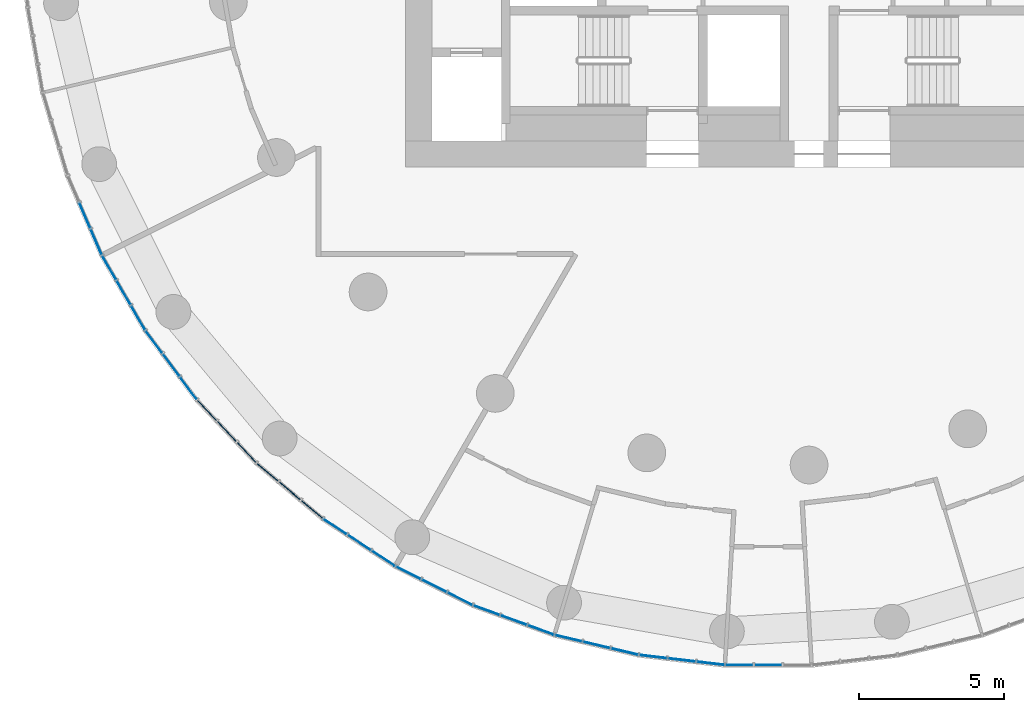
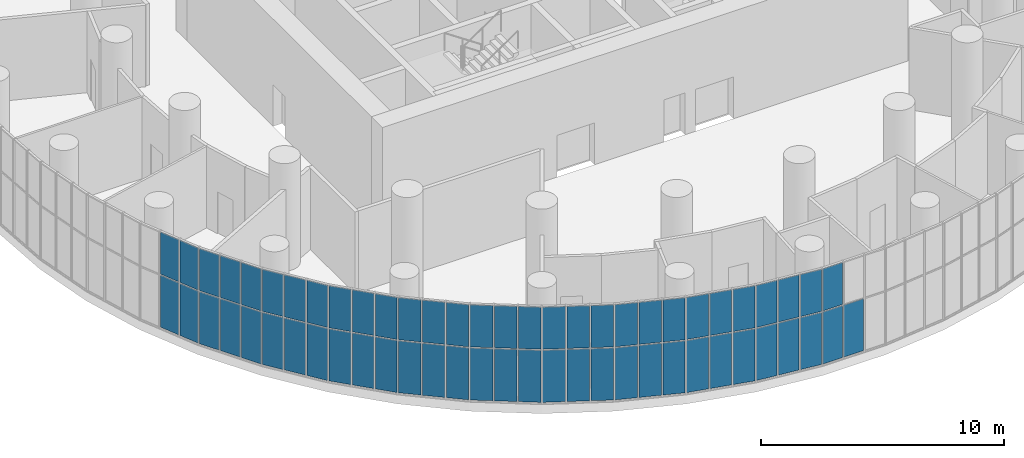
# One storey, part 10 of 21: 61 plates, 11 elements without a shape of their own.
"""IFC4 building model written with IfcOpenShell, lengths in metres."""

from ifc_helpers import new_model, si_unit, direction, frame, origin, origin_2d, place, context, subcontext, project, spatial, rectangle, extrude, material, layer, layer_set, type_object, element, aggregate, save


model = new_model("IFC4")

# Units and contexts
model_context = context("Model", 3, precision=1e-05, world=origin(), true_north=direction((0.0, 1.0)))
body_context = subcontext(model_context, "Body", "Model", "MODEL_VIEW")
ifc_project = project(units=[si_unit("LENGTHUNIT", "METRE"), si_unit("AREAUNIT", "SQUARE_METRE"), si_unit("VOLUMEUNIT", "CUBIC_METRE"), si_unit("PLANEANGLEUNIT", "RADIAN"), si_unit("MASSUNIT", "GRAM", prefix="KILO")], contexts=[model_context])

# Site, building, storey
site_placement = place(None, origin())
site = spatial("IfcSite", under=ifc_project, at=site_placement, CompositionType="ELEMENT")
building_placement = place(site_placement, origin())
building = spatial("IfcBuilding", under=site, at=building_placement, Name="Tracery Tower", CompositionType="ELEMENT")
storey_placement = place(building_placement, frame((0.0, 0.0, 219.60009765625)))
storey = spatial("IfcBuildingStorey", under=building, at=storey_placement, Name="L57", CompositionType="ELEMENT", Elevation=219.60009765625)

# Curtain wall, plates
ifc_material_1 = material(Name="Aluminium curtain wall with tinted glass", Category="aluminium")
ifc_layer_1 = layer(ifc_material_1, 0.159912109375)
ifc_layer_set_1 = layer_set([ifc_layer_1], Name="Sky lounge 2 tracery curtain wall")
curtain_wall_type = type_object("IfcCurtainWallType", Name="Sky lounge 2 tracery curtain wall", PredefinedType="NOTDEFINED", material=ifc_layer_set_1)
curtain_wall_1_placement = place(storey_placement, origin())
curtain_wall_1 = element("IfcCurtainWall", 1, at=curtain_wall_1_placement, inside=storey, type_object=curtain_wall_type, Name="Sky lounge 2 curtain wall run 31", PredefinedType="NOTDEFINED")
ifc_material_2 = material(Name="Tinted laminated glass", Category="glass")
ifc_layer_2 = layer(ifc_material_2, 0.028076171875)
ifc_layer_set_2 = layer_set([ifc_layer_2], Name="Sky lounge 2 glass panel 28")
plate_type = type_object("IfcPlateType", Name="Sky lounge 2 glass panel 28", PredefinedType="CURTAIN_PANEL", material=ifc_layer_set_2)
plate_1_placement = place(storey_placement, frame((-23.565185546875, -10.1650390625, 0.06005859375), z_axis=(0.0, 0.0, 1.0), x_axis=(0.396079766034, -0.918216106883, 0.0)))
plate_1 = element("IfcPlate", 2, at=plate_1_placement, type_object=plate_type, Name="Sky lounge 2 curtain wall run 31 glass panel 3", PredefinedType="CURTAIN_PANEL", context=body_context, shape_type="SweptSolid", body=[
    extrude(rectangle(XDim=0.9365234375, YDim=0.028076171875, at=origin_2d()), origin(), (0.0, 0.0, 1.0), 2.610107421875),
])
plate_2_placement = place(storey_placement, frame((-23.565185546875, -10.1650390625, 2.72998046875), z_axis=(0.0, 0.0, 1.0), x_axis=(0.396079766034, -0.918216106883, 0.0)))
plate_2 = element("IfcPlate", 3, at=plate_2_placement, type_object=plate_type, Name="Sky lounge 2 curtain wall run 31 glass panel 4", PredefinedType="CURTAIN_PANEL", context=body_context, shape_type="SweptSolid", body=[
    extrude(rectangle(XDim=0.9365234375, YDim=0.028076171875, at=origin_2d()), origin(), (0.0, 0.0, 1.0), 2.110107421875),
])
plate_3_placement = place(storey_placement, frame((-23.17041015625, -11.080078125, 0.06005859375), z_axis=(0.0, 0.0, 1.0), x_axis=(0.396079766034, -0.918216106883, 0.0)))
plate_3 = element("IfcPlate", 4, at=plate_3_placement, type_object=plate_type, Name="Sky lounge 2 curtain wall run 31 glass panel 5", PredefinedType="CURTAIN_PANEL", context=body_context, shape_type="SweptSolid", body=[
    extrude(rectangle(XDim=0.9365234375, YDim=0.028076171875, at=origin_2d()), origin(), (0.0, 0.0, 1.0), 2.610107421875),
])
plate_4_placement = place(storey_placement, frame((-23.17041015625, -11.080078125, 2.72998046875), z_axis=(0.0, 0.0, 1.0), x_axis=(0.396079766034, -0.918216106883, 0.0)))
plate_4 = element("IfcPlate", 5, at=plate_4_placement, type_object=plate_type, Name="Sky lounge 2 curtain wall run 31 glass panel 6", PredefinedType="CURTAIN_PANEL", context=body_context, shape_type="SweptSolid", body=[
    extrude(rectangle(XDim=0.9365234375, YDim=0.028076171875, at=origin_2d()), origin(), (0.0, 0.0, 1.0), 2.110107421875),
])
aggregate(curtain_wall_1, [plate_1, plate_2, plate_3, plate_4])

curtain_wall_2_placement = place(storey_placement, origin())
curtain_wall_2 = element("IfcCurtainWall", 6, at=curtain_wall_2_placement, inside=storey, type_object=curtain_wall_type, Name="Sky lounge 2 curtain wall run 32", PredefinedType="NOTDEFINED")
plate_5_placement = place(storey_placement, frame((-22.723876953125, -11.968994140625, 0.06005859375), z_axis=(0.0, 0.0, 1.0), x_axis=(0.5, -0.866025403784, 0.0)))
plate_5 = element("IfcPlate", 7, at=plate_5_placement, type_object=plate_type, Name="Sky lounge 2 curtain wall run 32 glass panel 1", PredefinedType="CURTAIN_PANEL", context=body_context, shape_type="SweptSolid", body=[
    extrude(rectangle(XDim=0.9365234375, YDim=0.028076171875, at=origin_2d()), origin(), (0.0, 0.0, 1.0), 2.610107421875),
])
plate_6_placement = place(storey_placement, frame((-22.723876953125, -11.968994140625, 2.72998046875), z_axis=(0.0, 0.0, 1.0), x_axis=(0.5, -0.866025403784, 0.0)))
plate_6 = element("IfcPlate", 8, at=plate_6_placement, type_object=plate_type, Name="Sky lounge 2 curtain wall run 32 glass panel 2", PredefinedType="CURTAIN_PANEL", context=body_context, shape_type="SweptSolid", body=[
    extrude(rectangle(XDim=0.9365234375, YDim=0.028076171875, at=origin_2d()), origin(), (0.0, 0.0, 1.0), 2.110107421875),
])
plate_7_placement = place(storey_placement, frame((-22.225830078125, -12.83203125, 0.06005859375), z_axis=(0.0, 0.0, 1.0), x_axis=(0.5, -0.866025403784, 0.0)))
plate_7 = element("IfcPlate", 9, at=plate_7_placement, type_object=plate_type, Name="Sky lounge 2 curtain wall run 32 glass panel 3", PredefinedType="CURTAIN_PANEL", context=body_context, shape_type="SweptSolid", body=[
    extrude(rectangle(XDim=0.9365234375, YDim=0.028076171875, at=origin_2d()), origin(), (0.0, 0.0, 1.0), 2.610107421875),
])
plate_8_placement = place(storey_placement, frame((-22.225830078125, -12.83203125, 2.72998046875), z_axis=(0.0, 0.0, 1.0), x_axis=(0.5, -0.866025403784, 0.0)))
plate_8 = element("IfcPlate", 10, at=plate_8_placement, type_object=plate_type, Name="Sky lounge 2 curtain wall run 32 glass panel 4", PredefinedType="CURTAIN_PANEL", context=body_context, shape_type="SweptSolid", body=[
    extrude(rectangle(XDim=0.9365234375, YDim=0.028076171875, at=origin_2d()), origin(), (0.0, 0.0, 1.0), 2.110107421875),
])
plate_9_placement = place(storey_placement, frame((-21.7275390625, -13.695068359375, 0.06005859375), z_axis=(0.0, 0.0, 1.0), x_axis=(0.5, -0.866025403784, 0.0)))
plate_9 = element("IfcPlate", 11, at=plate_9_placement, type_object=plate_type, Name="Sky lounge 2 curtain wall run 32 glass panel 5", PredefinedType="CURTAIN_PANEL", context=body_context, shape_type="SweptSolid", body=[
    extrude(rectangle(XDim=0.9365234375, YDim=0.028076171875, at=origin_2d()), origin(), (0.0, 0.0, 1.0), 2.610107421875),
])
plate_10_placement = place(storey_placement, frame((-21.7275390625, -13.695068359375, 2.72998046875), z_axis=(0.0, 0.0, 1.0), x_axis=(0.5, -0.866025403784, 0.0)))
plate_10 = element("IfcPlate", 12, at=plate_10_placement, type_object=plate_type, Name="Sky lounge 2 curtain wall run 32 glass panel 6", PredefinedType="CURTAIN_PANEL", context=body_context, shape_type="SweptSolid", body=[
    extrude(rectangle(XDim=0.9365234375, YDim=0.028076171875, at=origin_2d()), origin(), (0.0, 0.0, 1.0), 2.110107421875),
])
aggregate(curtain_wall_2, [plate_5, plate_6, plate_7, plate_8, plate_9, plate_10])

curtain_wall_3_placement = place(storey_placement, origin())
curtain_wall_3 = element("IfcCurtainWall", 13, at=curtain_wall_3_placement, inside=storey, type_object=curtain_wall_type, Name="Sky lounge 2 curtain wall run 33", PredefinedType="NOTDEFINED")
plate_11_placement = place(storey_placement, frame((-21.180908203125, -14.526123046875, 0.06005859375), z_axis=(0.0, 0.0, 1.0), x_axis=(0.597158591707, -0.802123192752, 0.0)))
plate_11 = element("IfcPlate", 14, at=plate_11_placement, type_object=plate_type, Name="Sky lounge 2 curtain wall run 33 glass panel 1", PredefinedType="CURTAIN_PANEL", context=body_context, shape_type="SweptSolid", body=[
    extrude(rectangle(XDim=0.9365234375, YDim=0.028076171875, at=origin_2d()), origin(), (0.0, 0.0, 1.0), 2.610107421875),
])
plate_12_placement = place(storey_placement, frame((-21.180908203125, -14.526123046875, 2.72998046875), z_axis=(0.0, 0.0, 1.0), x_axis=(0.597158591707, -0.802123192752, 0.0)))
plate_12 = element("IfcPlate", 15, at=plate_12_placement, type_object=plate_type, Name="Sky lounge 2 curtain wall run 33 glass panel 2", PredefinedType="CURTAIN_PANEL", context=body_context, shape_type="SweptSolid", body=[
    extrude(rectangle(XDim=0.9365234375, YDim=0.028076171875, at=origin_2d()), origin(), (0.0, 0.0, 1.0), 2.110107421875),
])
plate_13_placement = place(storey_placement, frame((-20.585693359375, -15.325439453125, 0.06005859375), z_axis=(0.0, 0.0, 1.0), x_axis=(0.597158591707, -0.802123192752, 0.0)))
plate_13 = element("IfcPlate", 16, at=plate_13_placement, type_object=plate_type, Name="Sky lounge 2 curtain wall run 33 glass panel 3", PredefinedType="CURTAIN_PANEL", context=body_context, shape_type="SweptSolid", body=[
    extrude(rectangle(XDim=0.9365234375, YDim=0.028076171875, at=origin_2d()), origin(), (0.0, 0.0, 1.0), 2.610107421875),
])
plate_14_placement = place(storey_placement, frame((-20.585693359375, -15.325439453125, 2.72998046875), z_axis=(0.0, 0.0, 1.0), x_axis=(0.597158591707, -0.802123192752, 0.0)))
plate_14 = element("IfcPlate", 17, at=plate_14_placement, type_object=plate_type, Name="Sky lounge 2 curtain wall run 33 glass panel 4", PredefinedType="CURTAIN_PANEL", context=body_context, shape_type="SweptSolid", body=[
    extrude(rectangle(XDim=0.9365234375, YDim=0.028076171875, at=origin_2d()), origin(), (0.0, 0.0, 1.0), 2.110107421875),
])
plate_15_placement = place(storey_placement, frame((-19.99072265625, -16.124755859375, 0.06005859375), z_axis=(0.0, 0.0, 1.0), x_axis=(0.597158591707, -0.802123192752, 0.0)))
plate_15 = element("IfcPlate", 18, at=plate_15_placement, type_object=plate_type, Name="Sky lounge 2 curtain wall run 33 glass panel 5", PredefinedType="CURTAIN_PANEL", context=body_context, shape_type="SweptSolid", body=[
    extrude(rectangle(XDim=0.9365234375, YDim=0.028076171875, at=origin_2d()), origin(), (0.0, 0.0, 1.0), 2.610107421875),
])
plate_16_placement = place(storey_placement, frame((-19.99072265625, -16.124755859375, 2.72998046875), z_axis=(0.0, 0.0, 1.0), x_axis=(0.597158591707, -0.802123192752, 0.0)))
plate_16 = element("IfcPlate", 19, at=plate_16_placement, type_object=plate_type, Name="Sky lounge 2 curtain wall run 33 glass panel 6", PredefinedType="CURTAIN_PANEL", context=body_context, shape_type="SweptSolid", body=[
    extrude(rectangle(XDim=0.9365234375, YDim=0.028076171875, at=origin_2d()), origin(), (0.0, 0.0, 1.0), 2.110107421875),
])
aggregate(curtain_wall_3, [plate_11, plate_12, plate_13, plate_14, plate_15, plate_16])

curtain_wall_4_placement = place(storey_placement, origin())
curtain_wall_4 = element("IfcCurtainWall", 20, at=curtain_wall_4_placement, inside=storey, type_object=curtain_wall_type, Name="Sky lounge 2 curtain wall run 34", PredefinedType="NOTDEFINED")
plate_17_placement = place(storey_placement, frame((-19.351318359375, -16.886962890625, 0.06005859375), z_axis=(0.0, 0.0, 1.0), x_axis=(0.686241637865, -0.727373641577, 0.0)))
plate_17 = element("IfcPlate", 21, at=plate_17_placement, type_object=plate_type, Name="Sky lounge 2 curtain wall run 34 glass panel 1", PredefinedType="CURTAIN_PANEL", context=body_context, shape_type="SweptSolid", body=[
    extrude(rectangle(XDim=0.9365234375, YDim=0.028076171875, at=origin_2d()), origin(), (0.0, 0.0, 1.0), 2.610107421875),
])
plate_18_placement = place(storey_placement, frame((-19.351318359375, -16.886962890625, 2.72998046875), z_axis=(0.0, 0.0, 1.0), x_axis=(0.686241637865, -0.727373641577, 0.0)))
plate_18 = element("IfcPlate", 22, at=plate_18_placement, type_object=plate_type, Name="Sky lounge 2 curtain wall run 34 glass panel 2", PredefinedType="CURTAIN_PANEL", context=body_context, shape_type="SweptSolid", body=[
    extrude(rectangle(XDim=0.9365234375, YDim=0.028076171875, at=origin_2d()), origin(), (0.0, 0.0, 1.0), 2.110107421875),
])
plate_19_placement = place(storey_placement, frame((-18.667236328125, -17.61181640625, 0.06005859375), z_axis=(0.0, 0.0, 1.0), x_axis=(0.686241637865, -0.727373641577, 0.0)))
plate_19 = element("IfcPlate", 23, at=plate_19_placement, type_object=plate_type, Name="Sky lounge 2 curtain wall run 34 glass panel 3", PredefinedType="CURTAIN_PANEL", context=body_context, shape_type="SweptSolid", body=[
    extrude(rectangle(XDim=0.9365234375, YDim=0.028076171875, at=origin_2d()), origin(), (0.0, 0.0, 1.0), 2.610107421875),
])
plate_20_placement = place(storey_placement, frame((-18.667236328125, -17.61181640625, 2.72998046875), z_axis=(0.0, 0.0, 1.0), x_axis=(0.686241637865, -0.727373641577, 0.0)))
plate_20 = element("IfcPlate", 24, at=plate_20_placement, type_object=plate_type, Name="Sky lounge 2 curtain wall run 34 glass panel 4", PredefinedType="CURTAIN_PANEL", context=body_context, shape_type="SweptSolid", body=[
    extrude(rectangle(XDim=0.9365234375, YDim=0.028076171875, at=origin_2d()), origin(), (0.0, 0.0, 1.0), 2.110107421875),
])
plate_21_placement = place(storey_placement, frame((-17.9833984375, -18.336669921875, 0.06005859375), z_axis=(0.0, 0.0, 1.0), x_axis=(0.686241637865, -0.727373641577, 0.0)))
plate_21 = element("IfcPlate", 25, at=plate_21_placement, type_object=plate_type, Name="Sky lounge 2 curtain wall run 34 glass panel 5", PredefinedType="CURTAIN_PANEL", context=body_context, shape_type="SweptSolid", body=[
    extrude(rectangle(XDim=0.9365234375, YDim=0.028076171875, at=origin_2d()), origin(), (0.0, 0.0, 1.0), 2.610107421875),
])
plate_22_placement = place(storey_placement, frame((-17.9833984375, -18.336669921875, 2.72998046875), z_axis=(0.0, 0.0, 1.0), x_axis=(0.686241637865, -0.727373641577, 0.0)))
plate_22 = element("IfcPlate", 26, at=plate_22_placement, type_object=plate_type, Name="Sky lounge 2 curtain wall run 34 glass panel 6", PredefinedType="CURTAIN_PANEL", context=body_context, shape_type="SweptSolid", body=[
    extrude(rectangle(XDim=0.9365234375, YDim=0.028076171875, at=origin_2d()), origin(), (0.0, 0.0, 1.0), 2.110107421875),
])
aggregate(curtain_wall_4, [plate_17, plate_18, plate_19, plate_20, plate_21, plate_22])

curtain_wall_5_placement = place(storey_placement, origin())
curtain_wall_5 = element("IfcCurtainWall", 27, at=curtain_wall_5_placement, inside=storey, type_object=curtain_wall_type, Name="Sky lounge 2 curtain wall run 35", PredefinedType="NOTDEFINED")
plate_23_placement = place(storey_placement, frame((-17.260009765625, -19.019287109375, 0.06005859375), z_axis=(0.0, 0.0, 1.0), x_axis=(0.766044443119, -0.642787609687, 0.0)))
plate_23 = element("IfcPlate", 28, at=plate_23_placement, type_object=plate_type, Name="Sky lounge 2 curtain wall run 35 glass panel 1", PredefinedType="CURTAIN_PANEL", context=body_context, shape_type="SweptSolid", body=[
    extrude(rectangle(XDim=0.9365234375, YDim=0.028076171875, at=origin_2d()), origin(), (0.0, 0.0, 1.0), 2.610107421875),
])
plate_24_placement = place(storey_placement, frame((-17.260009765625, -19.019287109375, 2.72998046875), z_axis=(0.0, 0.0, 1.0), x_axis=(0.766044443119, -0.642787609687, 0.0)))
plate_24 = element("IfcPlate", 29, at=plate_24_placement, type_object=plate_type, Name="Sky lounge 2 curtain wall run 35 glass panel 2", PredefinedType="CURTAIN_PANEL", context=body_context, shape_type="SweptSolid", body=[
    extrude(rectangle(XDim=0.9365234375, YDim=0.028076171875, at=origin_2d()), origin(), (0.0, 0.0, 1.0), 2.110107421875),
])
plate_25_placement = place(storey_placement, frame((-16.49658203125, -19.659912109375, 0.06005859375), z_axis=(0.0, 0.0, 1.0), x_axis=(0.766044443119, -0.642787609687, 0.0)))
plate_25 = element("IfcPlate", 30, at=plate_25_placement, type_object=plate_type, Name="Sky lounge 2 curtain wall run 35 glass panel 3", PredefinedType="CURTAIN_PANEL", context=body_context, shape_type="SweptSolid", body=[
    extrude(rectangle(XDim=0.9365234375, YDim=0.028076171875, at=origin_2d()), origin(), (0.0, 0.0, 1.0), 2.610107421875),
])
plate_26_placement = place(storey_placement, frame((-16.49658203125, -19.659912109375, 2.72998046875), z_axis=(0.0, 0.0, 1.0), x_axis=(0.766044443119, -0.642787609687, 0.0)))
plate_26 = element("IfcPlate", 31, at=plate_26_placement, type_object=plate_type, Name="Sky lounge 2 curtain wall run 35 glass panel 4", PredefinedType="CURTAIN_PANEL", context=body_context, shape_type="SweptSolid", body=[
    extrude(rectangle(XDim=0.9365234375, YDim=0.028076171875, at=origin_2d()), origin(), (0.0, 0.0, 1.0), 2.110107421875),
])
plate_27_placement = place(storey_placement, frame((-15.733154296875, -20.30029296875, 0.06005859375), z_axis=(0.0, 0.0, 1.0), x_axis=(0.766044443119, -0.642787609687, 0.0)))
plate_27 = element("IfcPlate", 32, at=plate_27_placement, type_object=plate_type, Name="Sky lounge 2 curtain wall run 35 glass panel 5", PredefinedType="CURTAIN_PANEL", context=body_context, shape_type="SweptSolid", body=[
    extrude(rectangle(XDim=0.9365234375, YDim=0.028076171875, at=origin_2d()), origin(), (0.0, 0.0, 1.0), 2.610107421875),
])
plate_28_placement = place(storey_placement, frame((-15.733154296875, -20.30029296875, 2.72998046875), z_axis=(0.0, 0.0, 1.0), x_axis=(0.766044443119, -0.642787609687, 0.0)))
plate_28 = element("IfcPlate", 33, at=plate_28_placement, type_object=plate_type, Name="Sky lounge 2 curtain wall run 35 glass panel 6", PredefinedType="CURTAIN_PANEL", context=body_context, shape_type="SweptSolid", body=[
    extrude(rectangle(XDim=0.9365234375, YDim=0.028076171875, at=origin_2d()), origin(), (0.0, 0.0, 1.0), 2.110107421875),
])
aggregate(curtain_wall_5, [plate_23, plate_24, plate_25, plate_26, plate_27, plate_28])

curtain_wall_6_placement = place(storey_placement, origin())
curtain_wall_6 = element("IfcCurtainWall", 34, at=curtain_wall_6_placement, inside=storey, type_object=curtain_wall_type, Name="Sky lounge 2 curtain wall run 36", PredefinedType="NOTDEFINED")
plate_29_placement = place(storey_placement, frame((-14.935302734375, -20.89453125, 0.06005859375), z_axis=(0.0, 0.0, 1.0), x_axis=(0.835487811416, -0.549508978066, 0.0)))
plate_29 = element("IfcPlate", 35, at=plate_29_placement, type_object=plate_type, Name="Sky lounge 2 curtain wall run 36 glass panel 1", PredefinedType="CURTAIN_PANEL", context=body_context, shape_type="SweptSolid", body=[
    extrude(rectangle(XDim=0.9365234375, YDim=0.028076171875, at=origin_2d()), origin(), (0.0, 0.0, 1.0), 2.610107421875),
])
plate_30_placement = place(storey_placement, frame((-14.935302734375, -20.89453125, 2.72998046875), z_axis=(0.0, 0.0, 1.0), x_axis=(0.835487811416, -0.549508978066, 0.0)))
plate_30 = element("IfcPlate", 36, at=plate_30_placement, type_object=plate_type, Name="Sky lounge 2 curtain wall run 36 glass panel 2", PredefinedType="CURTAIN_PANEL", context=body_context, shape_type="SweptSolid", body=[
    extrude(rectangle(XDim=0.9365234375, YDim=0.028076171875, at=origin_2d()), origin(), (0.0, 0.0, 1.0), 2.110107421875),
])
plate_31_placement = place(storey_placement, frame((-14.1025390625, -21.44189453125, 0.06005859375), z_axis=(0.0, 0.0, 1.0), x_axis=(0.835487811416, -0.549508978066, 0.0)))
plate_31 = element("IfcPlate", 37, at=plate_31_placement, type_object=plate_type, Name="Sky lounge 2 curtain wall run 36 glass panel 3", PredefinedType="CURTAIN_PANEL", context=body_context, shape_type="SweptSolid", body=[
    extrude(rectangle(XDim=0.9365234375, YDim=0.028076171875, at=origin_2d()), origin(), (0.0, 0.0, 1.0), 2.610107421875),
])
plate_32_placement = place(storey_placement, frame((-14.1025390625, -21.44189453125, 2.72998046875), z_axis=(0.0, 0.0, 1.0), x_axis=(0.835487811416, -0.549508978066, 0.0)))
plate_32 = element("IfcPlate", 38, at=plate_32_placement, type_object=plate_type, Name="Sky lounge 2 curtain wall run 36 glass panel 4", PredefinedType="CURTAIN_PANEL", context=body_context, shape_type="SweptSolid", body=[
    extrude(rectangle(XDim=0.9365234375, YDim=0.028076171875, at=origin_2d()), origin(), (0.0, 0.0, 1.0), 2.110107421875),
])
plate_33_placement = place(storey_placement, frame((-13.27001953125, -21.989501953125, 0.06005859375), z_axis=(0.0, 0.0, 1.0), x_axis=(0.835487811416, -0.549508978066, 0.0)))
plate_33 = element("IfcPlate", 39, at=plate_33_placement, type_object=plate_type, Name="Sky lounge 2 curtain wall run 36 glass panel 5", PredefinedType="CURTAIN_PANEL", context=body_context, shape_type="SweptSolid", body=[
    extrude(rectangle(XDim=0.9365234375, YDim=0.028076171875, at=origin_2d()), origin(), (0.0, 0.0, 1.0), 2.610107421875),
])
plate_34_placement = place(storey_placement, frame((-13.27001953125, -21.989501953125, 2.72998046875), z_axis=(0.0, 0.0, 1.0), x_axis=(0.835487811416, -0.549508978066, 0.0)))
plate_34 = element("IfcPlate", 40, at=plate_34_placement, type_object=plate_type, Name="Sky lounge 2 curtain wall run 36 glass panel 6", PredefinedType="CURTAIN_PANEL", context=body_context, shape_type="SweptSolid", body=[
    extrude(rectangle(XDim=0.9365234375, YDim=0.028076171875, at=origin_2d()), origin(), (0.0, 0.0, 1.0), 2.110107421875),
])
aggregate(curtain_wall_6, [plate_29, plate_30, plate_31, plate_32, plate_33, plate_34])

curtain_wall_7_placement = place(storey_placement, origin())
curtain_wall_7 = element("IfcCurtainWall", 41, at=curtain_wall_7_placement, inside=storey, type_object=curtain_wall_type, Name="Sky lounge 2 curtain wall run 37", PredefinedType="NOTDEFINED")
plate_35_placement = place(storey_placement, frame((-12.408447265625, -22.487060546875, 0.06005859375), z_axis=(0.0, 0.0, 1.0), x_axis=(0.893632640321, -0.448799180206, 0.0)))
plate_35 = element("IfcPlate", 42, at=plate_35_placement, type_object=plate_type, Name="Sky lounge 2 curtain wall run 37 glass panel 1", PredefinedType="CURTAIN_PANEL", context=body_context, shape_type="SweptSolid", body=[
    extrude(rectangle(XDim=0.9365234375, YDim=0.028076171875, at=origin_2d()), origin(), (0.0, 0.0, 1.0), 2.610107421875),
])
plate_36_placement = place(storey_placement, frame((-12.408447265625, -22.487060546875, 2.72998046875), z_axis=(0.0, 0.0, 1.0), x_axis=(0.893632640321, -0.448799180206, 0.0)))
plate_36 = element("IfcPlate", 43, at=plate_36_placement, type_object=plate_type, Name="Sky lounge 2 curtain wall run 37 glass panel 2", PredefinedType="CURTAIN_PANEL", context=body_context, shape_type="SweptSolid", body=[
    extrude(rectangle(XDim=0.9365234375, YDim=0.028076171875, at=origin_2d()), origin(), (0.0, 0.0, 1.0), 2.110107421875),
])
plate_37_placement = place(storey_placement, frame((-11.51806640625, -22.934326171875, 0.06005859375), z_axis=(0.0, 0.0, 1.0), x_axis=(0.893632640321, -0.448799180206, 0.0)))
plate_37 = element("IfcPlate", 44, at=plate_37_placement, type_object=plate_type, Name="Sky lounge 2 curtain wall run 37 glass panel 3", PredefinedType="CURTAIN_PANEL", context=body_context, shape_type="SweptSolid", body=[
    extrude(rectangle(XDim=0.9365234375, YDim=0.028076171875, at=origin_2d()), origin(), (0.0, 0.0, 1.0), 2.610107421875),
])
plate_38_placement = place(storey_placement, frame((-11.51806640625, -22.934326171875, 2.72998046875), z_axis=(0.0, 0.0, 1.0), x_axis=(0.893632640321, -0.448799180206, 0.0)))
plate_38 = element("IfcPlate", 45, at=plate_38_placement, type_object=plate_type, Name="Sky lounge 2 curtain wall run 37 glass panel 4", PredefinedType="CURTAIN_PANEL", context=body_context, shape_type="SweptSolid", body=[
    extrude(rectangle(XDim=0.9365234375, YDim=0.028076171875, at=origin_2d()), origin(), (0.0, 0.0, 1.0), 2.110107421875),
])
plate_39_placement = place(storey_placement, frame((-10.62744140625, -23.38134765625, 0.06005859375), z_axis=(0.0, 0.0, 1.0), x_axis=(0.893632640321, -0.448799180206, 0.0)))
plate_39 = element("IfcPlate", 46, at=plate_39_placement, type_object=plate_type, Name="Sky lounge 2 curtain wall run 37 glass panel 5", PredefinedType="CURTAIN_PANEL", context=body_context, shape_type="SweptSolid", body=[
    extrude(rectangle(XDim=0.9365234375, YDim=0.028076171875, at=origin_2d()), origin(), (0.0, 0.0, 1.0), 2.610107421875),
])
plate_40_placement = place(storey_placement, frame((-10.62744140625, -23.38134765625, 2.72998046875), z_axis=(0.0, 0.0, 1.0), x_axis=(0.893632640321, -0.448799180206, 0.0)))
plate_40 = element("IfcPlate", 47, at=plate_40_placement, type_object=plate_type, Name="Sky lounge 2 curtain wall run 37 glass panel 6", PredefinedType="CURTAIN_PANEL", context=body_context, shape_type="SweptSolid", body=[
    extrude(rectangle(XDim=0.9365234375, YDim=0.028076171875, at=origin_2d()), origin(), (0.0, 0.0, 1.0), 2.110107421875),
])
aggregate(curtain_wall_7, [plate_35, plate_36, plate_37, plate_38, plate_39, plate_40])

curtain_wall_8_placement = place(storey_placement, origin())
curtain_wall_8 = element("IfcCurtainWall", 48, at=curtain_wall_8_placement, inside=storey, type_object=curtain_wall_type, Name="Sky lounge 2 curtain wall run 38", PredefinedType="NOTDEFINED")
plate_41_placement = place(storey_placement, frame((-9.714111328125, -23.775390625, 0.06005859375), z_axis=(0.0, 0.0, 1.0), x_axis=(0.939692620786, -0.342020143326, 0.0)))
plate_41 = element("IfcPlate", 49, at=plate_41_placement, type_object=plate_type, Name="Sky lounge 2 curtain wall run 38 glass panel 1", PredefinedType="CURTAIN_PANEL", context=body_context, shape_type="SweptSolid", body=[
    extrude(rectangle(XDim=0.9365234375, YDim=0.028076171875, at=origin_2d()), origin(), (0.0, 0.0, 1.0), 2.610107421875),
])
plate_42_placement = place(storey_placement, frame((-9.714111328125, -23.775390625, 2.72998046875), z_axis=(0.0, 0.0, 1.0), x_axis=(0.939692620786, -0.342020143326, 0.0)))
plate_42 = element("IfcPlate", 50, at=plate_42_placement, type_object=plate_type, Name="Sky lounge 2 curtain wall run 38 glass panel 2", PredefinedType="CURTAIN_PANEL", context=body_context, shape_type="SweptSolid", body=[
    extrude(rectangle(XDim=0.9365234375, YDim=0.028076171875, at=origin_2d()), origin(), (0.0, 0.0, 1.0), 2.110107421875),
])
plate_43_placement = place(storey_placement, frame((-8.777587890625, -24.1162109375, 0.06005859375), z_axis=(0.0, 0.0, 1.0), x_axis=(0.939692620786, -0.342020143326, 0.0)))
plate_43 = element("IfcPlate", 51, at=plate_43_placement, type_object=plate_type, Name="Sky lounge 2 curtain wall run 38 glass panel 3", PredefinedType="CURTAIN_PANEL", context=body_context, shape_type="SweptSolid", body=[
    extrude(rectangle(XDim=0.9365234375, YDim=0.028076171875, at=origin_2d()), origin(), (0.0, 0.0, 1.0), 2.610107421875),
])
plate_44_placement = place(storey_placement, frame((-8.777587890625, -24.1162109375, 2.72998046875), z_axis=(0.0, 0.0, 1.0), x_axis=(0.939692620786, -0.342020143326, 0.0)))
plate_44 = element("IfcPlate", 52, at=plate_44_placement, type_object=plate_type, Name="Sky lounge 2 curtain wall run 38 glass panel 4", PredefinedType="CURTAIN_PANEL", context=body_context, shape_type="SweptSolid", body=[
    extrude(rectangle(XDim=0.9365234375, YDim=0.028076171875, at=origin_2d()), origin(), (0.0, 0.0, 1.0), 2.110107421875),
])
plate_45_placement = place(storey_placement, frame((-7.84130859375, -24.45703125, 0.06005859375), z_axis=(0.0, 0.0, 1.0), x_axis=(0.939692620786, -0.342020143326, 0.0)))
plate_45 = element("IfcPlate", 53, at=plate_45_placement, type_object=plate_type, Name="Sky lounge 2 curtain wall run 38 glass panel 5", PredefinedType="CURTAIN_PANEL", context=body_context, shape_type="SweptSolid", body=[
    extrude(rectangle(XDim=0.9365234375, YDim=0.028076171875, at=origin_2d()), origin(), (0.0, 0.0, 1.0), 2.610107421875),
])
plate_46_placement = place(storey_placement, frame((-7.84130859375, -24.45703125, 2.72998046875), z_axis=(0.0, 0.0, 1.0), x_axis=(0.939692620786, -0.342020143326, 0.0)))
plate_46 = element("IfcPlate", 54, at=plate_46_placement, type_object=plate_type, Name="Sky lounge 2 curtain wall run 38 glass panel 6", PredefinedType="CURTAIN_PANEL", context=body_context, shape_type="SweptSolid", body=[
    extrude(rectangle(XDim=0.9365234375, YDim=0.028076171875, at=origin_2d()), origin(), (0.0, 0.0, 1.0), 2.110107421875),
])
aggregate(curtain_wall_8, [plate_41, plate_42, plate_43, plate_44, plate_45, plate_46])

curtain_wall_9_placement = place(storey_placement, origin())
curtain_wall_9 = element("IfcCurtainWall", 55, at=curtain_wall_9_placement, inside=storey, type_object=curtain_wall_type, Name="Sky lounge 2 curtain wall run 39", PredefinedType="NOTDEFINED")
plate_47_placement = place(storey_placement, frame((-6.88818359375, -24.742431640625, 0.06005859375), z_axis=(0.0, 0.0, 1.0), x_axis=(0.973044870581, -0.230615870737, 0.0)))
plate_47 = element("IfcPlate", 56, at=plate_47_placement, type_object=plate_type, Name="Sky lounge 2 curtain wall run 39 glass panel 1", PredefinedType="CURTAIN_PANEL", context=body_context, shape_type="SweptSolid", body=[
    extrude(rectangle(XDim=0.9365234375, YDim=0.028076171875, at=origin_2d()), origin(), (0.0, 0.0, 1.0), 2.610107421875),
])
plate_48_placement = place(storey_placement, frame((-6.88818359375, -24.742431640625, 2.72998046875), z_axis=(0.0, 0.0, 1.0), x_axis=(0.973044870581, -0.230615870737, 0.0)))
plate_48 = element("IfcPlate", 57, at=plate_48_placement, type_object=plate_type, Name="Sky lounge 2 curtain wall run 39 glass panel 2", PredefinedType="CURTAIN_PANEL", context=body_context, shape_type="SweptSolid", body=[
    extrude(rectangle(XDim=0.9365234375, YDim=0.028076171875, at=origin_2d()), origin(), (0.0, 0.0, 1.0), 2.110107421875),
])
plate_49_placement = place(storey_placement, frame((-5.91845703125, -24.97216796875, 0.06005859375), z_axis=(0.0, 0.0, 1.0), x_axis=(0.973044870581, -0.230615870737, 0.0)))
plate_49 = element("IfcPlate", 58, at=plate_49_placement, type_object=plate_type, Name="Sky lounge 2 curtain wall run 39 glass panel 3", PredefinedType="CURTAIN_PANEL", context=body_context, shape_type="SweptSolid", body=[
    extrude(rectangle(XDim=0.9365234375, YDim=0.028076171875, at=origin_2d()), origin(), (0.0, 0.0, 1.0), 2.610107421875),
])
plate_50_placement = place(storey_placement, frame((-5.91845703125, -24.97216796875, 2.72998046875), z_axis=(0.0, 0.0, 1.0), x_axis=(0.973044870581, -0.230615870737, 0.0)))
plate_50 = element("IfcPlate", 59, at=plate_50_placement, type_object=plate_type, Name="Sky lounge 2 curtain wall run 39 glass panel 4", PredefinedType="CURTAIN_PANEL", context=body_context, shape_type="SweptSolid", body=[
    extrude(rectangle(XDim=0.9365234375, YDim=0.028076171875, at=origin_2d()), origin(), (0.0, 0.0, 1.0), 2.110107421875),
])
plate_51_placement = place(storey_placement, frame((-4.948974609375, -25.2021484375, 0.06005859375), z_axis=(0.0, 0.0, 1.0), x_axis=(0.973044870581, -0.230615870737, 0.0)))
plate_51 = element("IfcPlate", 60, at=plate_51_placement, type_object=plate_type, Name="Sky lounge 2 curtain wall run 39 glass panel 5", PredefinedType="CURTAIN_PANEL", context=body_context, shape_type="SweptSolid", body=[
    extrude(rectangle(XDim=0.9365234375, YDim=0.028076171875, at=origin_2d()), origin(), (0.0, 0.0, 1.0), 2.610107421875),
])
plate_52_placement = place(storey_placement, frame((-4.948974609375, -25.2021484375, 2.72998046875), z_axis=(0.0, 0.0, 1.0), x_axis=(0.973044870581, -0.230615870737, 0.0)))
plate_52 = element("IfcPlate", 61, at=plate_52_placement, type_object=plate_type, Name="Sky lounge 2 curtain wall run 39 glass panel 6", PredefinedType="CURTAIN_PANEL", context=body_context, shape_type="SweptSolid", body=[
    extrude(rectangle(XDim=0.9365234375, YDim=0.028076171875, at=origin_2d()), origin(), (0.0, 0.0, 1.0), 2.110107421875),
])
aggregate(curtain_wall_9, [plate_47, plate_48, plate_49, plate_50, plate_51, plate_52])

curtain_wall_10_placement = place(storey_placement, origin())
curtain_wall_10 = element("IfcCurtainWall", 62, at=curtain_wall_10_placement, inside=storey, type_object=curtain_wall_type, Name="Sky lounge 2 curtain wall run 40", PredefinedType="NOTDEFINED")
plate_53_placement = place(storey_placement, frame((-3.96923828125, -25.374755859375, 0.06005859375), z_axis=(0.0, 0.0, 1.0), x_axis=(0.993238357741, -0.116092914131, 0.0)))
plate_53 = element("IfcPlate", 63, at=plate_53_placement, type_object=plate_type, Name="Sky lounge 2 curtain wall run 40 glass panel 1", PredefinedType="CURTAIN_PANEL", context=body_context, shape_type="SweptSolid", body=[
    extrude(rectangle(XDim=0.9365234375, YDim=0.028076171875, at=origin_2d()), origin(), (0.0, 0.0, 1.0), 2.610107421875),
])
plate_54_placement = place(storey_placement, frame((-3.96923828125, -25.374755859375, 2.72998046875), z_axis=(0.0, 0.0, 1.0), x_axis=(0.993238357741, -0.116092914131, 0.0)))
plate_54 = element("IfcPlate", 64, at=plate_54_placement, type_object=plate_type, Name="Sky lounge 2 curtain wall run 40 glass panel 2", PredefinedType="CURTAIN_PANEL", context=body_context, shape_type="SweptSolid", body=[
    extrude(rectangle(XDim=0.9365234375, YDim=0.028076171875, at=origin_2d()), origin(), (0.0, 0.0, 1.0), 2.110107421875),
])
plate_55_placement = place(storey_placement, frame((-2.9794921875, -25.490478515625, 0.06005859375), z_axis=(0.0, 0.0, 1.0), x_axis=(0.993238357741, -0.116092914131, 0.0)))
plate_55 = element("IfcPlate", 65, at=plate_55_placement, type_object=plate_type, Name="Sky lounge 2 curtain wall run 40 glass panel 3", PredefinedType="CURTAIN_PANEL", context=body_context, shape_type="SweptSolid", body=[
    extrude(rectangle(XDim=0.9365234375, YDim=0.028076171875, at=origin_2d()), origin(), (0.0, 0.0, 1.0), 2.610107421875),
])
plate_56_placement = place(storey_placement, frame((-2.9794921875, -25.490478515625, 2.72998046875), z_axis=(0.0, 0.0, 1.0), x_axis=(0.993238357741, -0.116092914131, 0.0)))
plate_56 = element("IfcPlate", 66, at=plate_56_placement, type_object=plate_type, Name="Sky lounge 2 curtain wall run 40 glass panel 4", PredefinedType="CURTAIN_PANEL", context=body_context, shape_type="SweptSolid", body=[
    extrude(rectangle(XDim=0.9365234375, YDim=0.028076171875, at=origin_2d()), origin(), (0.0, 0.0, 1.0), 2.110107421875),
])
plate_57_placement = place(storey_placement, frame((-1.98974609375, -25.606201171875, 0.06005859375), z_axis=(0.0, 0.0, 1.0), x_axis=(0.993238357741, -0.116092914131, 0.0)))
plate_57 = element("IfcPlate", 67, at=plate_57_placement, type_object=plate_type, Name="Sky lounge 2 curtain wall run 40 glass panel 5", PredefinedType="CURTAIN_PANEL", context=body_context, shape_type="SweptSolid", body=[
    extrude(rectangle(XDim=0.9365234375, YDim=0.028076171875, at=origin_2d()), origin(), (0.0, 0.0, 1.0), 2.610107421875),
])
plate_58_placement = place(storey_placement, frame((-1.98974609375, -25.606201171875, 2.72998046875), z_axis=(0.0, 0.0, 1.0), x_axis=(0.993238357741, -0.116092914131, 0.0)))
plate_58 = element("IfcPlate", 68, at=plate_58_placement, type_object=plate_type, Name="Sky lounge 2 curtain wall run 40 glass panel 6", PredefinedType="CURTAIN_PANEL", context=body_context, shape_type="SweptSolid", body=[
    extrude(rectangle(XDim=0.9365234375, YDim=0.028076171875, at=origin_2d()), origin(), (0.0, 0.0, 1.0), 2.110107421875),
])
aggregate(curtain_wall_10, [plate_53, plate_54, plate_55, plate_56, plate_57, plate_58])

curtain_wall_11_placement = place(storey_placement, origin())
curtain_wall_11 = element("IfcCurtainWall", 69, at=curtain_wall_11_placement, inside=storey, type_object=curtain_wall_type, Name="Sky lounge 2 curtain wall run 41", PredefinedType="NOTDEFINED")
plate_59_placement = place(storey_placement, frame((-0.99658203125, -25.6640625, 0.06005859375), z_axis=(0.0, 0.0, 1.0), x_axis=(1.0, 0.0, 0.0)))
plate_59 = element("IfcPlate", 70, at=plate_59_placement, type_object=plate_type, Name="Sky lounge 2 curtain wall run 41 glass panel 1", PredefinedType="CURTAIN_PANEL", context=body_context, shape_type="SweptSolid", body=[
    extrude(rectangle(XDim=0.9365234375, YDim=0.028076171875, at=origin_2d()), origin(), (0.0, 0.0, 1.0), 2.610107421875),
])
plate_60_placement = place(storey_placement, frame((-0.99658203125, -25.6640625, 2.72998046875), z_axis=(0.0, 0.0, 1.0), x_axis=(1.0, 0.0, 0.0)))
plate_60 = element("IfcPlate", 71, at=plate_60_placement, type_object=plate_type, Name="Sky lounge 2 curtain wall run 41 glass panel 2", PredefinedType="CURTAIN_PANEL", context=body_context, shape_type="SweptSolid", body=[
    extrude(rectangle(XDim=0.9365234375, YDim=0.028076171875, at=origin_2d()), origin(), (0.0, 0.0, 1.0), 2.110107421875),
])
plate_61_placement = place(storey_placement, frame((0.0, -25.6640625, 0.06005859375), z_axis=(0.0, 0.0, 1.0), x_axis=(1.0, 0.0, 0.0)))
plate_61 = element("IfcPlate", 72, at=plate_61_placement, type_object=plate_type, Name="Sky lounge 2 curtain wall run 41 glass panel 3", PredefinedType="CURTAIN_PANEL", context=body_context, shape_type="SweptSolid", body=[
    extrude(rectangle(XDim=0.9365234375, YDim=0.028076171875, at=origin_2d()), origin(), (0.0, 0.0, 1.0), 2.610107421875),
])
aggregate(curtain_wall_11, [plate_59, plate_60, plate_61])

save(model, "model.ifc")
